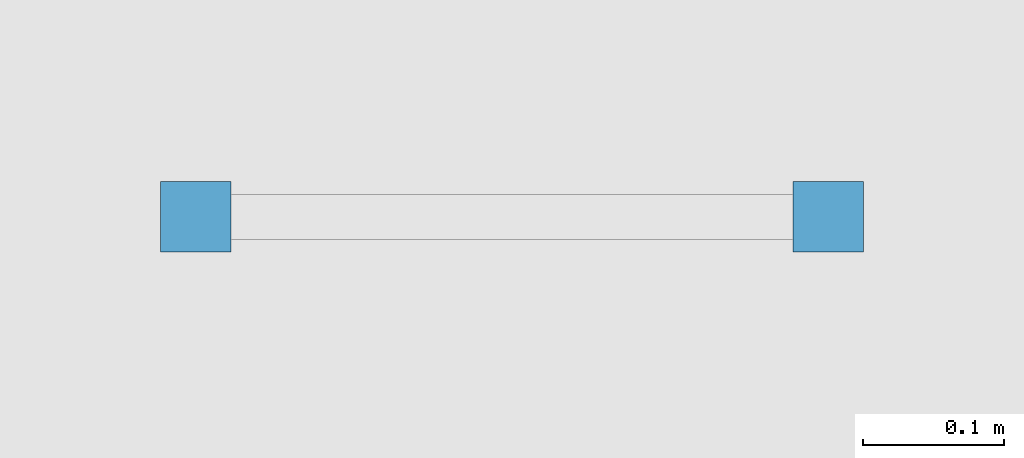
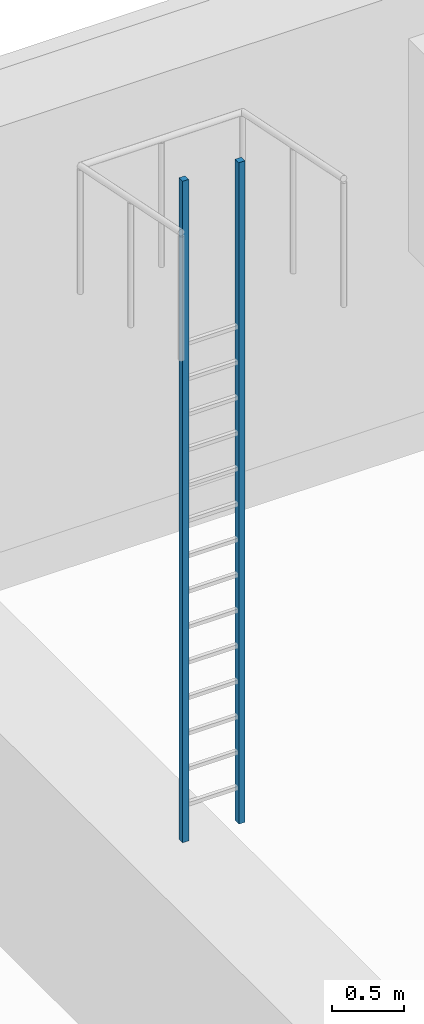
# One storey, part 13 of 28: 2 discrete accessories.
"""IFC4 building model written with IfcOpenShell, lengths in metres."""

from ifc_helpers import new_model, si_unit, direction, frame, origin, origin_2d, place, context, subcontext, project, spatial, rectangle, extrude, material, type_object, element, save


model = new_model("IFC4")

# Units and contexts
model_context = context("Model", 3, precision=1e-05, world=origin(), true_north=direction((0.0, 1.0)))
body_context = subcontext(model_context, "Body", "Model", "MODEL_VIEW")
ifc_project = project(units=[si_unit("LENGTHUNIT", "METRE"), si_unit("AREAUNIT", "SQUARE_METRE"), si_unit("VOLUMEUNIT", "CUBIC_METRE"), si_unit("PLANEANGLEUNIT", "RADIAN"), si_unit("MASSUNIT", "GRAM", prefix="KILO")], contexts=[model_context])

# Site, building, storey
site_placement = place(None, origin())
site = spatial("IfcSite", under=ifc_project, at=site_placement, CompositionType="ELEMENT")
building_placement = place(site_placement, origin())
building = spatial("IfcBuilding", under=site, at=building_placement, Name="Ljudholm Concert House", CompositionType="ELEMENT")
storey_placement = place(building_placement, frame((0.0, 0.0, 19.199951171875)))
storey = spatial("IfcBuildingStorey", under=building, at=storey_placement, Name="L04", CompositionType="ELEMENT", Elevation=19.199951171875)

# Discrete accessories
ifc_material = material(Name="Steel ASTM A36", Category="steel")
discrete_accessory_type = type_object("IfcDiscreteAccessoryType", Name="LADDER STILE 50", PredefinedType="USERDEFINED", material=ifc_material)
for number, where, z_axis, x_axis, name in (
    (1, (62.574951171875, 81.39990234375, 3.60009765625), (0.0, 0.0, 1.0), (1.0, 0.0, 0.0), "Ladder stile"),
    (2, (63.02490234375, 81.39990234375, 3.60009765625), (0.0, 0.0, 1.0), (1.0, 0.0, 0.0), "Ladder stile"),
):
    element("IfcDiscreteAccessory", number, at=place(storey_placement, frame(where, z_axis=z_axis, x_axis=x_axis)), inside=storey, type_object=discrete_accessory_type, Name=name, ObjectType="FIXED LADDER", PredefinedType="USERDEFINED", context=body_context, shape_type="SweptSolid", body=[
        extrude(rectangle(XDim=0.050048828125, YDim=0.050048828125, at=origin_2d()), origin(), (0.0, 0.0, 1.0), 5.595703125),
    ])

save(model, "model.ifc")
